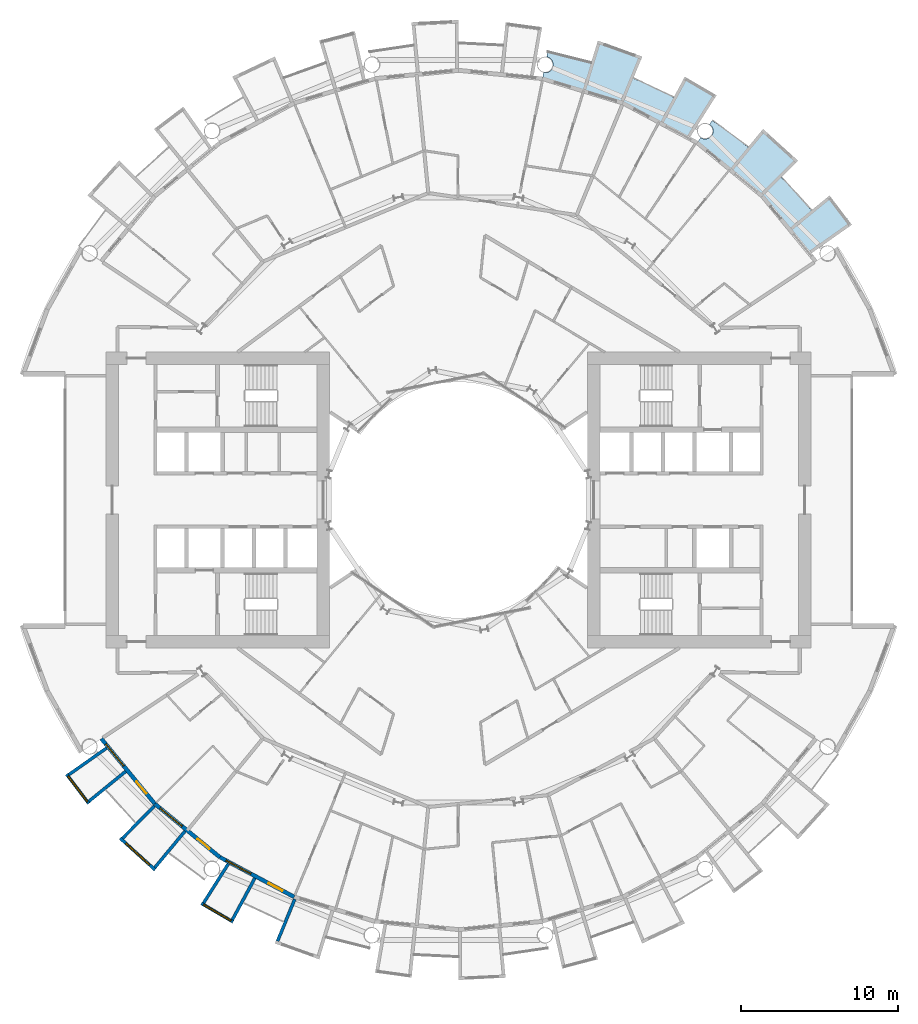
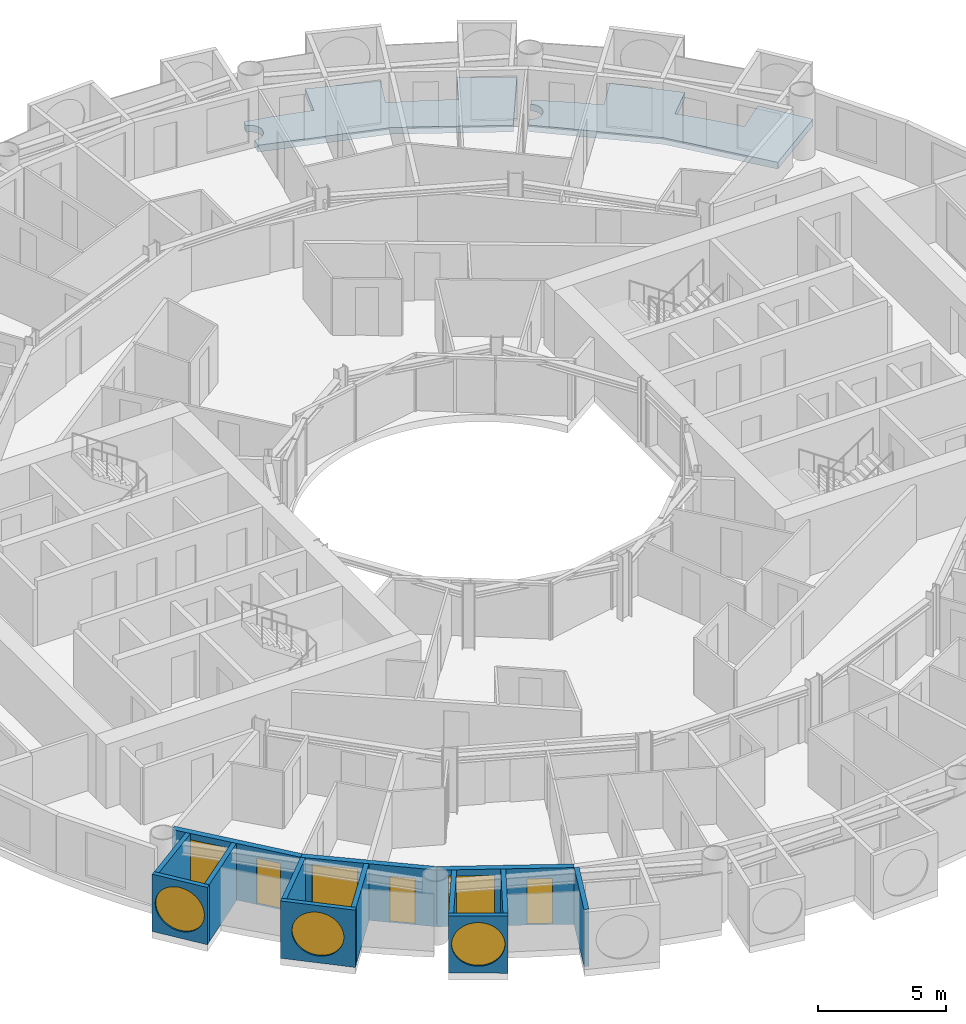
# One storey, part 12 of 26: 13 walls, 6 windows, 3 doors, 2 slabs, 9 openings.
"""IFC4 building model written with IfcOpenShell, lengths in metres."""

from ifc_helpers import new_model, si_unit, direction, frame, frame_2d, origin, place, context, subcontext, project, spatial, polyline, rectangle, circle, outline, extrude, material, layer, layer_set, type_object, element, fill, save


model = new_model("IFC4")

# Units and contexts
model_context = context("Model", 3, precision=1e-05, world=origin(), true_north=direction((0.0, 1.0)))
body_context = subcontext(model_context, "Body", "Model", "MODEL_VIEW")
ifc_project = project(units=[si_unit("LENGTHUNIT", "METRE"), si_unit("AREAUNIT", "SQUARE_METRE"), si_unit("VOLUMEUNIT", "CUBIC_METRE"), si_unit("PLANEANGLEUNIT", "RADIAN"), si_unit("MASSUNIT", "GRAM", prefix="KILO")], contexts=[model_context])

# Site, building, storey
site_placement = place(None, origin())
site = spatial("IfcSite", under=ifc_project, at=site_placement, CompositionType="ELEMENT")
building_placement = place(site_placement, origin())
building = spatial("IfcBuilding", under=site, at=building_placement, Name="Maasbend Ring Residences", CompositionType="ELEMENT")
storey_placement = place(building_placement, frame((0.0, 0.0, 47.199951171875)))
storey = spatial("IfcBuildingStorey", under=building, at=storey_placement, Name="L13", CompositionType="ELEMENT", Elevation=47.199951171875)

# Slabs
ifc_material_1 = material(Name="Concrete C40/50", Category="concrete")
ifc_layer_1 = layer(ifc_material_1, 0.199951171875)
ifc_layer_set_1 = layer_set([ifc_layer_1], Name="Concrete C40/50")
slab_type = type_object("IfcSlabType", Name="SL-LOGGIA", PredefinedType="FLOOR", material=ifc_layer_set_1)
slab_1_placement = place(storey_placement, frame((0.0, 0.0, -0.349853515625)))
element("IfcSlab", 1, at=slab_1_placement, inside=storey, type_object=slab_type, Name="Loggia floor 2", PredefinedType="FLOOR", context=body_context, shape_type="SweptSolid", body=[
    extrude(outline(polyline([(5.43896484375, 27.154052734375), (5.451904296875, 27.153076171875), (5.464111328125, 27.15087890625), (5.47705078125, 27.15087890625), (5.489013671875, 27.14990234375), (5.501953125, 27.14990234375), (5.513916015625, 27.14990234375), (5.52587890625, 27.15087890625), (5.5390625, 27.15087890625), (5.551025390625, 27.153076171875), (5.56396484375, 27.154052734375), (5.575927734375, 27.156005859375), (5.587890625, 27.157958984375), (5.60107421875, 27.159912109375), (5.613037109375, 27.162109375), (5.625, 27.1650390625), (5.636962890625, 27.1689453125), (5.64892578125, 27.172119140625), (5.660888671875, 27.176025390625), (5.673095703125, 27.179931640625), (5.68408203125, 27.18408203125), (5.696044921875, 27.18896484375), (5.70703125, 27.194091796875), (5.718994140625, 27.198974609375), (5.72998046875, 27.2041015625), (5.740966796875, 27.2099609375), (5.751953125, 27.216064453125), (5.762939453125, 27.221923828125), (5.77294921875, 27.22900390625), (5.783935546875, 27.236083984375), (5.7939453125, 27.242919921875), (5.803955078125, 27.25), (5.81396484375, 27.258056640625), (5.823974609375, 27.264892578125), (5.8330078125, 27.27294921875), (5.843017578125, 27.281982421875), (5.85205078125, 27.2900390625), (5.861083984375, 27.299072265625), (5.868896484375, 27.30810546875), (5.8779296875, 27.31689453125), (5.885986328125, 27.325927734375), (5.89404296875, 27.3359375), (5.902099609375, 27.345947265625), (5.909912109375, 27.35498046875), (5.9169921875, 27.365966796875), (5.924072265625, 27.3759765625), (5.930908203125, 27.385986328125), (5.93701171875, 27.39697265625), (5.944091796875, 27.407958984375), (5.949951171875, 27.4189453125), (5.955078125, 27.429931640625), (5.9609375, 27.44091796875), (5.966064453125, 27.451904296875), (5.970947265625, 27.464111328125), (5.97509765625, 27.47509765625), (5.97998046875, 27.487060546875), (5.98388671875, 27.4990234375), (5.988037109375, 27.510986328125), (5.990966796875, 27.52294921875), (5.993896484375, 27.534912109375), (5.9970703125, 27.547119140625), (6.0, 27.55908203125), (6.001953125, 27.571044921875), (6.00390625, 27.583984375), (6.006103515625, 27.595947265625), (6.007080078125, 27.60791015625), (6.008056640625, 27.62109375), (6.009033203125, 27.633056640625), (6.009033203125, 27.64599609375), (6.010009765625, 27.657958984375), (6.009033203125, 27.6708984375), (6.009033203125, 27.68310546875), (6.008056640625, 27.695068359375), (6.007080078125, 27.7080078125), (6.006103515625, 27.719970703125), (6.00390625, 27.73291015625), (6.001953125, 27.7451171875), (6.0, 27.757080078125), (5.9970703125, 27.76904296875), (5.993896484375, 27.781982421875), (5.990966796875, 27.7939453125), (5.988037109375, 27.805908203125), (5.98388671875, 27.81689453125), (5.97998046875, 27.8291015625), (5.97509765625, 27.841064453125), (5.970947265625, 27.85302734375), (5.966064453125, 27.864013671875), (5.9609375, 27.875), (5.955078125, 27.886962890625), (5.949951171875, 27.89794921875), (5.944091796875, 27.907958984375), (5.93701171875, 27.9189453125), (5.930908203125, 27.929931640625), (5.924072265625, 27.93994140625), (5.9169921875, 27.950927734375), (5.909912109375, 27.9609375), (5.902099609375, 27.970947265625), (5.89404296875, 27.97998046875), (5.885986328125, 27.989990234375), (5.8779296875, 27.9990234375), (5.868896484375, 28.008056640625), (5.861083984375, 28.01708984375), (5.85205078125, 28.02587890625), (5.843017578125, 28.034912109375), (5.8330078125, 28.04296875), (5.823974609375, 28.051025390625), (5.81396484375, 28.05908203125), (5.803955078125, 28.06591796875), (5.7939453125, 28.072998046875), (5.783935546875, 28.080078125), (5.77294921875, 28.0869140625), (5.762939453125, 28.093994140625), (5.751953125, 28.10009765625), (5.740966796875, 28.10595703125), (5.72998046875, 28.112060546875), (5.718994140625, 28.116943359375), (5.70703125, 28.123046875), (5.696044921875, 28.126953125), (5.68408203125, 28.132080078125), (5.673095703125, 28.135986328125), (5.660888671875, 28.139892578125), (5.64892578125, 28.14404296875), (5.636962890625, 28.14794921875), (5.625, 28.15087890625), (5.613037109375, 28.154052734375), (5.60107421875, 28.156005859375), (5.657958984375, 28.443115234375), (5.657958984375, 28.443115234375), (5.657958984375, 28.443115234375), (6.5849609375, 28.241943359375), (6.5849609375, 28.241943359375), (7.506103515625, 28.011962890625), (7.506103515625, 28.011962890625), (8.41796875, 27.7509765625), (8.41796875, 27.7509765625), (8.41796875, 27.7509765625), (8.41796875, 27.7509765625), (8.41796875, 27.7509765625), (8.41796875, 27.7509765625), (8.41796875, 27.7509765625), (8.41796875, 27.7509765625), (8.41796875, 27.7509765625), (8.41796875, 27.7509765625), (8.41796875, 27.751953125), (8.41796875, 27.751953125), (8.41796875, 27.751953125), (8.41796875, 27.751953125), (8.41796875, 27.751953125), (8.41796875, 27.751953125), (8.41796875, 27.751953125), (8.85400390625, 29.18701171875), (8.85400390625, 29.18701171875), (8.85400390625, 29.18701171875), (11.672119140625, 28.177978515625), (11.672119140625, 28.177978515625), (11.672119140625, 28.177978515625), (11.097900390625, 26.79296875), (11.097900390625, 26.79296875), (11.097900390625, 26.79296875), (11.097900390625, 26.79296875), (11.097900390625, 26.79296875), (11.097900390625, 26.79296875), (11.097900390625, 26.79296875), (11.097900390625, 26.79296875), (11.097900390625, 26.79296875), (11.097900390625, 26.79296875), (11.097900390625, 26.7919921875), (11.097900390625, 26.7919921875), (11.097900390625, 26.7919921875), (11.097900390625, 26.7919921875), (11.097900390625, 26.7919921875), (11.097900390625, 26.7919921875), (11.097900390625, 26.7919921875), (11.968994140625, 26.4150390625), (11.968994140625, 26.4150390625), (12.825927734375, 26.009033203125), (12.825927734375, 26.009033203125), (13.669921875, 25.575927734375), (13.669921875, 25.575927734375), (13.669921875, 25.575927734375), (13.669921875, 25.575927734375), (13.669921875, 25.575927734375), (13.669921875, 25.575927734375), (13.669921875, 25.575927734375), (13.669921875, 25.575927734375), (13.669921875, 25.575927734375), (13.669921875, 25.575927734375), (13.6708984375, 25.575927734375), (13.6708984375, 25.575927734375), (13.6708984375, 25.575927734375), (13.6708984375, 25.575927734375), (13.6708984375, 25.575927734375), (13.6708984375, 25.575927734375), (13.6708984375, 25.575927734375), (14.3779296875, 26.89892578125), (14.3779296875, 26.89892578125), (14.3779296875, 26.89892578125), (16.39404296875, 25.718994140625), (16.39404296875, 25.718994140625), (16.39404296875, 25.718994140625), (14.64599609375, 22.97705078125), (14.64599609375, 22.97705078125), (14.64599609375, 22.97705078125), (12.806884765625, 23.9609375), (10.447021484375, 25.221923828125), (10.447021484375, 25.221923828125), (10.447021484375, 25.221923828125), (7.886962890625, 25.9990234375), (5.325927734375, 26.77490234375), (5.325927734375, 26.77490234375), (5.325927734375, 26.77490234375), (5.402099609375, 27.159912109375), (5.4150390625, 27.157958984375), (5.427001953125, 27.156005859375), (5.43896484375, 27.154052734375)])), origin(), (0.0, 0.0, 1.0), 0.31982421875),
])
slab_2_placement = place(storey_placement, frame((0.0, 0.0, -0.349853515625)))
element("IfcSlab", 2, at=slab_2_placement, inside=storey, type_object=slab_type, Name="Loggia floor 4", PredefinedType="FLOOR", context=body_context, shape_type="SweptSolid", body=[
    extrude(outline(polyline([(15.406005859375, 23.011962890625), (15.4169921875, 23.0048828125), (15.427978515625, 22.9990234375), (15.43896484375, 22.993896484375), (15.449951171875, 22.988037109375), (15.4609375, 22.98291015625), (15.472900390625, 22.97802734375), (15.48388671875, 22.972900390625), (15.49609375, 22.968994140625), (15.508056640625, 22.965087890625), (15.52001953125, 22.9609375), (15.531982421875, 22.9580078125), (15.5439453125, 22.955078125), (15.555908203125, 22.951904296875), (15.568115234375, 22.948974609375), (15.580078125, 22.947021484375), (15.593017578125, 22.945068359375), (15.60498046875, 22.943115234375), (15.616943359375, 22.94189453125), (15.6298828125, 22.94091796875), (15.64208984375, 22.93994140625), (15.655029296875, 22.93994140625), (15.6669921875, 22.93896484375), (15.679931640625, 22.93994140625), (15.69189453125, 22.93994140625), (15.7041015625, 22.94091796875), (15.717041015625, 22.94189453125), (15.72900390625, 22.943115234375), (15.741943359375, 22.945068359375), (15.75390625, 22.947021484375), (15.76611328125, 22.948974609375), (15.778076171875, 22.951904296875), (15.791015625, 22.955078125), (15.802978515625, 22.9580078125), (15.81494140625, 22.9609375), (15.825927734375, 22.965087890625), (15.837890625, 22.968994140625), (15.85009765625, 22.972900390625), (15.862060546875, 22.97802734375), (15.873046875, 22.98291015625), (15.884033203125, 22.988037109375), (15.89599609375, 22.993896484375), (15.906982421875, 22.9990234375), (15.9169921875, 23.0048828125), (15.927978515625, 23.011962890625), (15.93896484375, 23.01806640625), (15.948974609375, 23.02490234375), (15.9599609375, 23.031982421875), (15.969970703125, 23.0390625), (15.97998046875, 23.047119140625), (15.989013671875, 23.054931640625), (15.9990234375, 23.06298828125), (16.008056640625, 23.071044921875), (16.01708984375, 23.0791015625), (16.02587890625, 23.087890625), (16.034912109375, 23.096923828125), (16.0439453125, 23.10595703125), (16.052001953125, 23.115966796875), (16.06005859375, 23.125), (16.068115234375, 23.135009765625), (16.074951171875, 23.14501953125), (16.08203125, 23.155029296875), (16.089111328125, 23.1650390625), (16.095947265625, 23.176025390625), (16.10302734375, 23.18603515625), (16.10888671875, 23.197021484375), (16.114990234375, 23.2080078125), (16.12109375, 23.218994140625), (16.1259765625, 23.22998046875), (16.132080078125, 23.241943359375), (16.135986328125, 23.2529296875), (16.14111328125, 23.264892578125), (16.14501953125, 23.27587890625), (16.14892578125, 23.2880859375), (16.153076171875, 23.300048828125), (16.156982421875, 23.31201171875), (16.159912109375, 23.323974609375), (16.1630859375, 23.3359375), (16.1650390625, 23.347900390625), (16.16796875, 23.361083984375), (16.169921875, 23.373046875), (16.1708984375, 23.385009765625), (16.173095703125, 23.39794921875), (16.174072265625, 23.409912109375), (16.174072265625, 23.422119140625), (16.175048828125, 23.43505859375), (16.175048828125, 23.447021484375), (16.175048828125, 23.4599609375), (16.174072265625, 23.471923828125), (16.174072265625, 23.485107421875), (16.173095703125, 23.4970703125), (16.1708984375, 23.510009765625), (16.169921875, 23.52197265625), (16.16796875, 23.533935546875), (16.1650390625, 23.547119140625), (16.1630859375, 23.55908203125), (16.159912109375, 23.571044921875), (16.156982421875, 23.5830078125), (16.153076171875, 23.594970703125), (16.14892578125, 23.60693359375), (16.14501953125, 23.618896484375), (16.14111328125, 23.6298828125), (16.135986328125, 23.64208984375), (16.132080078125, 23.653076171875), (16.1259765625, 23.6650390625), (16.12109375, 23.676025390625), (16.114990234375, 23.68701171875), (16.10888671875, 23.697998046875), (16.10302734375, 23.708984375), (16.095947265625, 23.718994140625), (16.089111328125, 23.72998046875), (16.08203125, 23.739990234375), (16.074951171875, 23.75), (16.068115234375, 23.760009765625), (16.06005859375, 23.77001953125), (16.052001953125, 23.779052734375), (16.0439453125, 23.7890625), (16.034912109375, 23.798095703125), (16.02587890625, 23.806884765625), (16.01708984375, 23.81494140625), (16.008056640625, 23.823974609375), (15.9990234375, 23.83203125), (15.989013671875, 23.840087890625), (15.97998046875, 23.847900390625), (15.969970703125, 23.85498046875), (15.9599609375, 23.863037109375), (15.948974609375, 23.8701171875), (15.948974609375, 23.8701171875), (16.112060546875, 24.113037109375), (16.112060546875, 24.113037109375), (16.112060546875, 24.113037109375), (16.89208984375, 23.572998046875), (16.89208984375, 23.572998046875), (17.654052734375, 23.007080078125), (17.654052734375, 23.007080078125), (18.39697265625, 22.41796875), (18.39697265625, 22.41796875), (18.39697265625, 22.41796875), (18.39697265625, 22.41796875), (18.39697265625, 22.41796875), (18.39697265625, 22.41796875), (18.39697265625, 22.41796875), (18.39697265625, 22.41796875), (18.39697265625, 22.41796875), (18.39697265625, 22.41796875), (18.39697265625, 22.41796875), (18.39794921875, 22.41796875), (18.39794921875, 22.41796875), (18.39794921875, 22.41796875), (18.39794921875, 22.41796875), (18.39794921875, 22.41796875), (18.39794921875, 22.41796875), (19.34912109375, 23.576904296875), (19.34912109375, 23.576904296875), (19.34912109375, 23.576904296875), (21.56689453125, 21.56689453125), (21.56689453125, 21.56689453125), (21.56689453125, 21.56689453125), (20.506103515625, 20.506103515625), (20.506103515625, 20.506103515625), (20.506103515625, 20.506103515625), (20.506103515625, 20.506103515625), (20.506103515625, 20.506103515625), (20.506103515625, 20.506103515625), (20.506103515625, 20.506103515625), (20.506103515625, 20.506103515625), (20.506103515625, 20.506103515625), (20.506103515625, 20.506103515625), (20.506103515625, 20.506103515625), (20.506103515625, 20.506103515625), (20.506103515625, 20.506103515625), (20.506103515625, 20.506103515625), (20.506103515625, 20.506103515625), (20.506103515625, 20.506103515625), (20.506103515625, 20.506103515625), (21.166015625, 19.823974609375), (21.166015625, 19.823974609375), (21.802978515625, 19.12109375), (21.802978515625, 19.12109375), (22.4169921875, 18.39794921875), (22.4169921875, 18.39794921875), (22.4169921875, 18.39794921875), (22.4169921875, 18.39794921875), (22.4169921875, 18.39794921875), (22.4169921875, 18.39794921875), (22.4169921875, 18.39794921875), (22.4169921875, 18.39794921875), (22.4169921875, 18.39794921875), (22.4169921875, 18.39794921875), (22.4169921875, 18.39794921875), (22.4169921875, 18.39794921875), (22.41796875, 18.39794921875), (22.41796875, 18.39794921875), (22.41796875, 18.39794921875), (22.41796875, 18.39794921875), (22.41796875, 18.39794921875), (23.576904296875, 19.34912109375), (23.576904296875, 19.34912109375), (23.576904296875, 19.34912109375), (24.989013671875, 17.488037109375), (24.989013671875, 17.488037109375), (24.989013671875, 17.488037109375), (22.324951171875, 15.623046875), (22.324951171875, 15.623046875), (22.324951171875, 15.623046875), (21.001953125, 17.236083984375), (19.303955078125, 19.303955078125), (19.303955078125, 19.303955078125), (19.303955078125, 19.303955078125), (17.236083984375, 21.001953125), (15.1669921875, 22.698974609375), (15.1669921875, 22.698974609375), (15.1669921875, 22.698974609375), (15.385009765625, 23.02490234375), (15.385009765625, 23.02490234375), (15.39501953125, 23.01806640625), (15.406005859375, 23.011962890625)])), origin(), (0.0, 0.0, 1.0), 0.31982421875),
])

# Wall, opening, window
ifc_material_2 = material(Name="Pale anodised aluminium panel", Category="aluminium")
ifc_layer_2 = layer(ifc_material_2, 0.199951171875)
ifc_layer_set_2 = layer_set([ifc_layer_2], Name="EW-BOX")
wall_type_1 = type_object("IfcWallType", Name="EW-BOX", PredefinedType="SOLIDWALL", material=ifc_layer_set_2)
wall_1_placement = place(storey_placement, frame((-24.908935546875, -17.427001953125, -0.030029296875), z_axis=(0.0, 0.0, 1.0), x_axis=(0.60418752353, -0.796842165306, 0.0)))
wall_1 = element("IfcWall", 3, at=wall_1_placement, inside=storey, type_object=wall_type_1, Name="Box front S01", PredefinedType="SOLIDWALL", context=body_context, shape_type="SweptSolid", body=[
    extrude(rectangle(XDim=2.3369140625, YDim=0.199951171875, at=frame_2d((1.16845703125, 0.0))), origin(), (0.0, 0.0, 1.0), 2.72998046875),
])
opening_1_placement = place(wall_1_placement, frame((0.128173828125, 0.0, 0.330078125)))
opening_1 = element("IfcOpeningElement", 4, at=opening_1_placement, cuts=wall_1, Name="Opening W-RD", PredefinedType="OPENING", context=body_context, shape_type="SweptSolid", body=[
    extrude(circle(Radius=1.0400390625, at=frame_2d((1.0400390625, 1.0400390625))), frame((0.0, 0.10986328125, 0.0), z_axis=(0.0, -1.0, 0.0), x_axis=(1.0, 0.0, 0.0)), (0.0, 0.0, 1.0), 0.219970703125),
])
ifc_material_3 = material(Name="Aluminium and clear glass", Category="aluminium")
window_type_1 = type_object("IfcWindowType", Name="W-RD", PartitioningType="SINGLE_PANEL", PredefinedType="WINDOW", material=ifc_material_3)
window_1_placement = place(opening_1_placement, origin())
window_1 = element("IfcWindow", 5, at=window_1_placement, inside=storey, type_object=window_type_1, Name="Round window S01", OverallHeight=2.080078125, OverallWidth=2.080078125, PartitioningType="SINGLE_PANEL", PredefinedType="WINDOW", context=body_context, shape_type="SweptSolid", body=[
    extrude(circle(Radius=1.0400390625, at=frame_2d((1.0400390625, 1.0400390625))), frame((0.0, 0.030029296875, 0.0), z_axis=(0.0, -1.0, 0.0), x_axis=(1.0, 0.0, 0.0)), (0.0, 0.0, 1.0), 0.06005859375),
])
fill(opening_1, window_1)

# Walls
wall_2_placement = place(storey_placement, frame((-22.3701171875, -15.764892578125, -0.030029296875), z_axis=(0.0, 0.0, 1.0), x_axis=(-0.817256123454, -0.576274612209, 0.0)))
element("IfcWall", 6, at=wall_2_placement, inside=storey, type_object=wall_type_1, Name="Box side wall S01 left", PredefinedType="SOLIDWALL", context=body_context, shape_type="SweptSolid", body=[
    extrude(rectangle(XDim=2.932861328125, YDim=0.199951171875, at=frame_2d((1.46630859375, 0.0))), origin(), (0.0, 0.0, 1.0), 2.72998046875),
])
wall_3_placement = place(storey_placement, frame((-21.155029296875, -17.24609375, -0.030029296875), z_axis=(0.0, 0.0, 1.0), x_axis=(-0.775179004516, -0.631741648902, 0.0)))
element("IfcWall", 7, at=wall_3_placement, inside=storey, type_object=wall_type_1, Name="Box side wall S01 right", PredefinedType="SOLIDWALL", context=body_context, shape_type="SweptSolid", body=[
    extrude(rectangle(XDim=3.005859375, YDim=0.199951171875, at=frame_2d((1.5029296875, 0.0))), origin(), (0.0, 0.0, 1.0), 2.72998046875),
])

# Wall, opening, window
wall_4_placement = place(storey_placement, frame((-21.5, -21.492919921875, -0.030029296875), z_axis=(0.0, 0.0, 1.0), x_axis=(0.740998365753, -0.671506829416, 0.0)))
wall_4 = element("IfcWall", 8, at=wall_4_placement, inside=storey, type_object=wall_type_1, Name="Box front S03", PredefinedType="SOLIDWALL", context=body_context, shape_type="SweptSolid", body=[
    extrude(rectangle(XDim=2.9931640625, YDim=0.199951171875, at=frame_2d((1.49658203125, 0.0))), origin(), (0.0, 0.0, 1.0), 2.72998046875),
])
opening_2_placement = place(wall_4_placement, frame((0.45654296875, 0.0, 0.330078125)))
opening_2 = element("IfcOpeningElement", 9, at=opening_2_placement, cuts=wall_4, Name="Opening W-RD", PredefinedType="OPENING", context=body_context, shape_type="SweptSolid", body=[
    extrude(circle(Radius=1.0400390625, at=frame_2d((1.0400390625, 1.0400390625))), frame((0.0, 0.10986328125, 0.0), z_axis=(0.0, -1.0, 0.0), x_axis=(1.0, 0.0, 0.0)), (0.0, 0.0, 1.0), 0.219970703125),
])
window_2_placement = place(opening_2_placement, origin())
window_2 = element("IfcWindow", 10, at=window_2_placement, inside=storey, type_object=window_type_1, Name="Round window S03", OverallHeight=2.080078125, OverallWidth=2.080078125, PartitioningType="SINGLE_PANEL", PredefinedType="WINDOW", context=body_context, shape_type="SweptSolid", body=[
    extrude(circle(Radius=1.0400390625, at=frame_2d((1.0400390625, 1.0400390625))), frame((0.0, 0.030029296875, 0.0), z_axis=(0.0, -1.0, 0.0), x_axis=(1.0, 0.0, 0.0)), (0.0, 0.0, 1.0), 0.06005859375),
])
fill(opening_2, window_2)

# Walls
wall_5_placement = place(storey_placement, frame((-19.322998046875, -19.449951171875, -0.030029296875), z_axis=(0.0, 0.0, 1.0), x_axis=(-0.704476739375, -0.709727076896, 0.0)))
element("IfcWall", 11, at=wall_5_placement, inside=storey, type_object=wall_type_1, Name="Box side wall S03 left", PredefinedType="SOLIDWALL", context=body_context, shape_type="SweptSolid", body=[
    extrude(rectangle(XDim=2.883056640625, YDim=0.199951171875, at=frame_2d((1.44140625, 0.0))), origin(), (0.0, 0.0, 1.0), 2.72998046875),
])
wall_6_placement = place(storey_placement, frame((-17.384033203125, -21.041015625, -0.030029296875), z_axis=(0.0, 0.0, 1.0), x_axis=(-0.63709551667, -0.770784861449, 0.0)))
element("IfcWall", 12, at=wall_6_placement, inside=storey, type_object=wall_type_1, Name="Box side wall S03 right", PredefinedType="SOLIDWALL", context=body_context, shape_type="SweptSolid", body=[
    extrude(rectangle(XDim=3.005859375, YDim=0.199951171875, at=frame_2d((1.5029296875, 0.0))), origin(), (0.0, 0.0, 1.0), 2.72998046875),
])

# Wall, opening, window
wall_7_placement = place(storey_placement, frame((-16.343994140625, -25.633056640625, -0.030029296875), z_axis=(0.0, 0.0, 1.0), x_axis=(0.863346521872, -0.504611517081, 0.0)))
wall_7 = element("IfcWall", 13, at=wall_7_placement, inside=storey, type_object=wall_type_1, Name="Box front S05", PredefinedType="SOLIDWALL", context=body_context, shape_type="SweptSolid", body=[
    extrude(rectangle(XDim=2.33642578125, YDim=0.199951171875, at=frame_2d((1.168212890625, 0.0))), origin(), (0.0, 0.0, 1.0), 2.72998046875),
])
opening_3_placement = place(wall_7_placement, frame((0.128173828125, 0.0, 0.330078125)))
opening_3 = element("IfcOpeningElement", 14, at=opening_3_placement, cuts=wall_7, Name="Opening W-RD", PredefinedType="OPENING", context=body_context, shape_type="SweptSolid", body=[
    extrude(circle(Radius=1.0400390625, at=frame_2d((1.0400390625, 1.0400390625))), frame((0.0, 0.10986328125, 0.0), z_axis=(0.0, -1.0, 0.0), x_axis=(1.0, 0.0, 0.0)), (0.0, 0.0, 1.0), 0.219970703125),
])
window_3_placement = place(opening_3_placement, origin())
window_3 = element("IfcWindow", 15, at=window_3_placement, inside=storey, type_object=window_type_1, Name="Round window S05", OverallHeight=2.080078125, OverallWidth=2.080078125, PartitioningType="SINGLE_PANEL", PredefinedType="WINDOW", context=body_context, shape_type="SweptSolid", body=[
    extrude(circle(Radius=1.0400390625, at=frame_2d((1.0400390625, 1.0400390625))), frame((0.0, 0.030029296875, 0.0), z_axis=(0.0, -1.0, 0.0), x_axis=(1.0, 0.0, 0.0)), (0.0, 0.0, 1.0), 0.06005859375),
])
fill(opening_3, window_3)

# Walls
wall_8_placement = place(storey_placement, frame((-14.635009765625, -23.1259765625, -0.030029296875), z_axis=(0.0, 0.0, 1.0), x_axis=(-0.534437802731, -0.845207805816, 0.0)))
element("IfcWall", 16, at=wall_8_placement, inside=storey, type_object=wall_type_1, Name="Box side wall S05 left", PredefinedType="SOLIDWALL", context=body_context, shape_type="SweptSolid", body=[
    extrude(rectangle(XDim=2.931884765625, YDim=0.199951171875, at=frame_2d((1.4658203125, 0.0))), origin(), (0.0, 0.0, 1.0), 2.72998046875),
])
wall_9_placement = place(storey_placement, frame((-12.945068359375, -24.029052734375, -0.030029296875), z_axis=(0.0, 0.0, 1.0), x_axis=(-0.474424310775, -0.88029629861, 0.0)))
element("IfcWall", 17, at=wall_9_placement, inside=storey, type_object=wall_type_1, Name="Box side wall S05 right", PredefinedType="SOLIDWALL", context=body_context, shape_type="SweptSolid", body=[
    extrude(rectangle(XDim=3.005859375, YDim=0.199951171875, at=frame_2d((1.5029296875, 0.0))), origin(), (0.0, 0.0, 1.0), 2.72998046875),
])
wall_10_placement = place(storey_placement, frame((-10.408935546875, -25.364013671875, -0.030029296875), z_axis=(0.0, 0.0, 1.0), x_axis=(-0.379509886562, -0.925187681501, 0.0)))
element("IfcWall", 18, at=wall_10_placement, inside=storey, type_object=wall_type_1, Name="Box side wall S07 left", PredefinedType="SOLIDWALL", context=body_context, shape_type="SweptSolid", body=[
    extrude(rectangle(XDim=2.882568359375, YDim=0.199951171875, at=frame_2d((1.44140625, 0.0))), origin(), (0.0, 0.0, 1.0), 2.72998046875),
])

# Wall, openings, door, window
ifc_material_4 = material(Name="Aluminium clad insulated panel", Category="aluminium")
ifc_layer_3 = layer(ifc_material_4, 0.25)
ifc_layer_set_3 = layer_set([ifc_layer_3], Name="EW-GL")
wall_type_2 = type_object("IfcWallType", Name="EW-GL", PredefinedType="SOLIDWALL", material=ifc_layer_set_3)
wall_11_placement = place(storey_placement, frame((-22.698974609375, -15.1669921875, 0.0), z_axis=(0.0, 0.0, 1.0), x_axis=(0.634382322723, -0.773019449054, 0.0)))
wall_11 = element("IfcWall", 19, at=wall_11_placement, inside=storey, type_object=wall_type_2, Name="External wall S01", PredefinedType="SOLIDWALL", context=body_context, shape_type="SweptSolid", body=[
    extrude(rectangle(XDim=5.351806640625, YDim=0.25, at=frame_2d((2.67578125, 0.0))), origin(), (0.0, 0.0, 1.0), 2.699951171875),
])
opening_4_placement = place(wall_11_placement, frame((0.441162109375, 0.0, 0.300048828125)))
opening_4 = element("IfcOpeningElement", 20, at=opening_4_placement, cuts=wall_11, Name="Opening W-BX", PredefinedType="OPENING", context=body_context, shape_type="SweptSolid", body=[
    extrude(rectangle(XDim=1.800048828125, YDim=2.10009765625, at=frame_2d((0.89990234375, 1.050048828125))), frame((0.0, 0.135009765625, 0.0), z_axis=(0.0, -1.0, 0.0), x_axis=(1.0, 0.0, 0.0)), (0.0, 0.0, 1.0), 0.27001953125),
])
opening_5_placement = place(wall_11_placement, frame((3.510498046875, 0.0, 0.0)))
opening_5 = element("IfcOpeningElement", 21, at=opening_5_placement, cuts=wall_11, Name="Opening D-LG", PredefinedType="OPENING", context=body_context, shape_type="SweptSolid", body=[
    extrude(rectangle(XDim=1.0, YDim=2.199951171875, at=frame_2d((0.5, 1.10009765625))), frame((0.0, 0.135009765625, 0.0), z_axis=(0.0, -1.0, 0.0), x_axis=(1.0, 0.0, 0.0)), (0.0, 0.0, 1.0), 0.27001953125),
])
ifc_material_5 = material(Name="Aluminium and clear glass", Category="aluminium")
door_type = type_object("IfcDoorType", Name="D-LG", OperationType="SINGLE_SWING_LEFT", PredefinedType="DOOR", material=ifc_material_5)
door_1_placement = place(opening_5_placement, origin())
door_1 = element("IfcDoor", 22, at=door_1_placement, inside=storey, type_object=door_type, Name="Loggia door S02", OperationType="SINGLE_SWING_LEFT", OverallHeight=2.199951171875, OverallWidth=1.0, PredefinedType="DOOR", context=body_context, shape_type="SweptSolid", body=[
    extrude(rectangle(XDim=1.0, YDim=2.199951171875, at=frame_2d((0.5, 1.10009765625))), frame((0.0, 0.02490234375, 0.0), z_axis=(0.0, -1.0, 0.0), x_axis=(1.0, 0.0, 0.0)), (0.0, 0.0, 1.0), 0.050048828125),
])
fill(opening_5, door_1)
ifc_material_6 = material(Name="Aluminium and clear glass", Category="aluminium")
window_type_2 = type_object("IfcWindowType", Name="W-BX", PartitioningType="DOUBLE_PANEL_VERTICAL", PredefinedType="WINDOW", material=ifc_material_6)
window_4_placement = place(opening_4_placement, origin())
window_4 = element("IfcWindow", 23, at=window_4_placement, inside=storey, type_object=window_type_2, Name="Window S01 room to box", OverallHeight=2.10009765625, OverallWidth=1.800048828125, PartitioningType="SINGLE_PANEL", PredefinedType="WINDOW", context=body_context, shape_type="SweptSolid", body=[
    extrude(rectangle(XDim=1.800048828125, YDim=2.10009765625, at=frame_2d((0.89990234375, 1.050048828125))), frame((0.0, 0.030029296875, 0.0), z_axis=(0.0, -1.0, 0.0), x_axis=(1.0, 0.0, 0.0)), (0.0, 0.0, 1.0), 0.06005859375),
])
fill(opening_4, window_4)

wall_12_placement = place(storey_placement, frame((-19.303955078125, -19.303955078125, 0.0), z_axis=(0.0, 0.0, 1.0), x_axis=(0.773019449054, -0.634382322723, 0.0)))
wall_12 = element("IfcWall", 24, at=wall_12_placement, inside=storey, type_object=wall_type_2, Name="External wall S02", PredefinedType="SOLIDWALL", context=body_context, shape_type="SweptSolid", body=[
    extrude(rectangle(XDim=5.351806640625, YDim=0.25, at=frame_2d((2.67578125, 0.0))), origin(), (0.0, 0.0, 1.0), 2.699951171875),
])
opening_6_placement = place(wall_12_placement, frame((0.441162109375, 0.0, 0.300048828125)))
opening_6 = element("IfcOpeningElement", 25, at=opening_6_placement, cuts=wall_12, Name="Opening W-BX", PredefinedType="OPENING", context=body_context, shape_type="SweptSolid", body=[
    extrude(rectangle(XDim=1.800048828125, YDim=2.10009765625, at=frame_2d((0.89990234375, 1.050048828125))), frame((0.0, 0.135009765625, 0.0), z_axis=(0.0, -1.0, 0.0), x_axis=(1.0, 0.0, 0.0)), (0.0, 0.0, 1.0), 0.27001953125),
])
opening_7_placement = place(wall_12_placement, frame((3.510498046875, 0.0, 0.0)))
opening_7 = element("IfcOpeningElement", 26, at=opening_7_placement, cuts=wall_12, Name="Opening D-LG", PredefinedType="OPENING", context=body_context, shape_type="SweptSolid", body=[
    extrude(rectangle(XDim=1.0, YDim=2.199951171875, at=frame_2d((0.5, 1.10009765625))), frame((0.0, 0.135009765625, 0.0), z_axis=(0.0, -1.0, 0.0), x_axis=(1.0, 0.0, 0.0)), (0.0, 0.0, 1.0), 0.27001953125),
])
door_2_placement = place(opening_7_placement, origin())
door_2 = element("IfcDoor", 27, at=door_2_placement, inside=storey, type_object=door_type, Name="Loggia door S04", OperationType="SINGLE_SWING_LEFT", OverallHeight=2.199951171875, OverallWidth=1.0, PredefinedType="DOOR", context=body_context, shape_type="SweptSolid", body=[
    extrude(rectangle(XDim=1.0, YDim=2.199951171875, at=frame_2d((0.5, 1.10009765625))), frame((0.0, 0.02490234375, 0.0), z_axis=(0.0, -1.0, 0.0), x_axis=(1.0, 0.0, 0.0)), (0.0, 0.0, 1.0), 0.050048828125),
])
fill(opening_7, door_2)
window_5_placement = place(opening_6_placement, origin())
window_5 = element("IfcWindow", 28, at=window_5_placement, inside=storey, type_object=window_type_2, Name="Window S03 room to box", OverallHeight=2.10009765625, OverallWidth=1.800048828125, PartitioningType="SINGLE_PANEL", PredefinedType="WINDOW", context=body_context, shape_type="SweptSolid", body=[
    extrude(rectangle(XDim=1.800048828125, YDim=2.10009765625, at=frame_2d((0.89990234375, 1.050048828125))), frame((0.0, 0.030029296875, 0.0), z_axis=(0.0, -1.0, 0.0), x_axis=(1.0, 0.0, 0.0)), (0.0, 0.0, 1.0), 0.06005859375),
])
fill(opening_6, window_5)

wall_13_placement = place(storey_placement, frame((-15.1669921875, -22.698974609375, 0.0), z_axis=(0.0, 0.0, 1.0), x_axis=(0.881915646801, -0.471407246368, 0.0)))
wall_13 = element("IfcWall", 29, at=wall_13_placement, inside=storey, type_object=wall_type_2, Name="External wall S03", PredefinedType="SOLIDWALL", context=body_context, shape_type="SweptSolid", body=[
    extrude(rectangle(XDim=5.35205078125, YDim=0.25, at=frame_2d((2.676025390625, 0.0))), origin(), (0.0, 0.0, 1.0), 2.699951171875),
])
opening_8_placement = place(wall_13_placement, frame((0.441162109375, 0.0, 0.300048828125)))
opening_8 = element("IfcOpeningElement", 30, at=opening_8_placement, cuts=wall_13, Name="Opening W-BX", PredefinedType="OPENING", context=body_context, shape_type="SweptSolid", body=[
    extrude(rectangle(XDim=1.800048828125, YDim=2.10009765625, at=frame_2d((0.89990234375, 1.050048828125))), frame((0.0, 0.135009765625, 0.0), z_axis=(0.0, -1.0, 0.0), x_axis=(1.0, 0.0, 0.0)), (0.0, 0.0, 1.0), 0.27001953125),
])
opening_9_placement = place(wall_13_placement, frame((3.510498046875, 0.0, 0.0)))
opening_9 = element("IfcOpeningElement", 31, at=opening_9_placement, cuts=wall_13, Name="Opening D-LG", PredefinedType="OPENING", context=body_context, shape_type="SweptSolid", body=[
    extrude(rectangle(XDim=1.0, YDim=2.199951171875, at=frame_2d((0.5, 1.10009765625))), frame((0.0, 0.135009765625, 0.0), z_axis=(0.0, -1.0, 0.0), x_axis=(1.0, 0.0, 0.0)), (0.0, 0.0, 1.0), 0.27001953125),
])
door_3_placement = place(opening_9_placement, origin())
door_3 = element("IfcDoor", 32, at=door_3_placement, inside=storey, type_object=door_type, Name="Loggia door S06", OperationType="SINGLE_SWING_LEFT", OverallHeight=2.199951171875, OverallWidth=1.0, PredefinedType="DOOR", context=body_context, shape_type="SweptSolid", body=[
    extrude(rectangle(XDim=1.0, YDim=2.199951171875, at=frame_2d((0.5, 1.10009765625))), frame((0.0, 0.02490234375, 0.0), z_axis=(0.0, -1.0, 0.0), x_axis=(1.0, 0.0, 0.0)), (0.0, 0.0, 1.0), 0.050048828125),
])
fill(opening_9, door_3)
window_6_placement = place(opening_8_placement, origin())
window_6 = element("IfcWindow", 33, at=window_6_placement, inside=storey, type_object=window_type_2, Name="Window S05 room to box", OverallHeight=2.10009765625, OverallWidth=1.800048828125, PartitioningType="SINGLE_PANEL", PredefinedType="WINDOW", context=body_context, shape_type="SweptSolid", body=[
    extrude(rectangle(XDim=1.800048828125, YDim=2.10009765625, at=frame_2d((0.89990234375, 1.050048828125))), frame((0.0, 0.030029296875, 0.0), z_axis=(0.0, -1.0, 0.0), x_axis=(1.0, 0.0, 0.0)), (0.0, 0.0, 1.0), 0.06005859375),
])
fill(opening_8, window_6)

save(model, "model.ifc")
